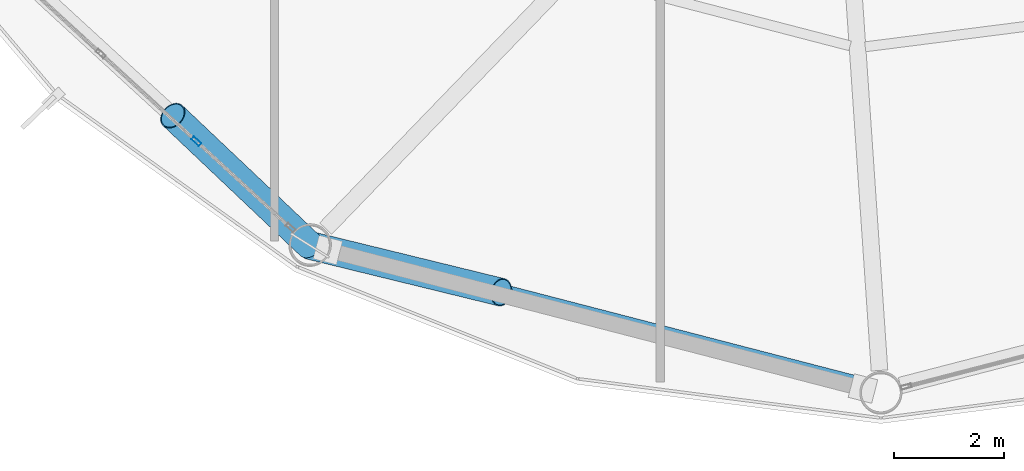
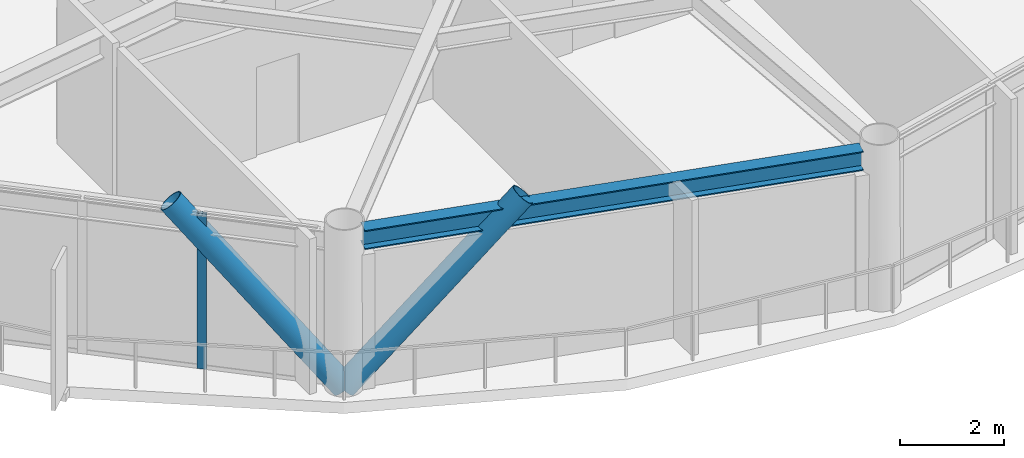
# One storey, part 3 of 25: 3 members, 1 beam, 1 element without a shape of its own.
"""IFC4 building model written with IfcOpenShell, lengths in metres."""

from ifc_helpers import new_model, si_unit, direction, frame, origin, origin_2d, place, context, subcontext, project, spatial, hollow_rectangle, hollow_circle, i_section, extrude, material, layer, layer_set, material_profile, profile_set, type_object, element, aggregate, save


model = new_model("IFC4")

# Units and contexts
model_context = context("Model", 3, precision=1e-05, world=origin(), true_north=direction((0.0, 1.0)))
body_context = subcontext(model_context, "Body", "Model", "MODEL_VIEW")
ifc_project = project(units=[si_unit("LENGTHUNIT", "METRE"), si_unit("AREAUNIT", "SQUARE_METRE"), si_unit("VOLUMEUNIT", "CUBIC_METRE"), si_unit("PLANEANGLEUNIT", "RADIAN"), si_unit("MASSUNIT", "GRAM", prefix="KILO")], contexts=[model_context])

# Site, building, storey
site_placement = place(None, origin())
site = spatial("IfcSite", under=ifc_project, at=site_placement, CompositionType="ELEMENT")
building_placement = place(site_placement, origin())
building = spatial("IfcBuilding", under=site, at=building_placement, Name="Varnakorn Sky Granary", CompositionType="ELEMENT")
storey_placement = place(building_placement, frame((0.0, 0.0, 146.10009765625)))
storey = spatial("IfcBuildingStorey", under=building, at=storey_placement, Name="L36", CompositionType="ELEMENT", Elevation=146.10009765625)

# Beam
ifc_material_1 = material(Name="Steel S355JR", Category="steel")
ifc_material_profile_1 = material_profile(ifc_material_1, i_section(OverallWidth=0.300048828125, OverallDepth=0.449951171875, WebThickness=0.013916015625, FlangeThickness=0.02587890625, at=origin_2d()), Name="HE 450 B")
ifc_profile_set_1 = profile_set([ifc_material_profile_1], Name="Steel S355JR")
beam_type = type_object("IfcBeamType", Name="BM-SPD-Z3", PredefinedType="SPANDREL", material=ifc_profile_set_1)
beam_placement = place(storey_placement, frame((-11.4697265625, -16.505615234375, 3.414794921875), z_axis=(0.968056139534, -0.250733545243, 0.0), x_axis=(0.250733545243, 0.968056139534, 0.0)))
element("IfcBeam", 1, at=beam_placement, inside=storey, type_object=beam_type, Name="Perimeter Spandrel Ring Beam RB09 L36", PredefinedType="SPANDREL", context=body_context, shape_type="SweptSolid", body=[
    extrude(i_section(OverallWidth=0.300048828125, OverallDepth=0.449951171875, WebThickness=0.013916015625, FlangeThickness=0.02587890625, at=origin_2d()), origin(), (0.0, 0.0, 1.0), 9.932861328125),
])

# Curtain wall, member
ifc_material_2 = material(Name="Anodised Bronze Aluminium Alloy 6063-T6", Category="aluminium")
ifc_layer = layer(ifc_material_2, 0.179931640625, Name="Anodised Bronze Aluminium Alloy 6063-T6")
ifc_layer_set = layer_set([ifc_layer], Name="Anodised Bronze Aluminium Alloy 6063-T6")
curtain_wall_type = type_object("IfcCurtainWallType", Name="CW-FRM-2", PredefinedType="USERDEFINED", material=ifc_layer_set)
curtain_wall_placement = place(storey_placement, origin())
curtain_wall = element("IfcCurtainWall", 2, at=curtain_wall_placement, inside=storey, type_object=curtain_wall_type, Name="Unitised Curtain Wall CW4 CW-L36-B08", ObjectType="CURTAIN WALL", PredefinedType="USERDEFINED")
ifc_material_profile_2 = material_profile(ifc_material_2, hollow_rectangle(XDim=0.070068359375, YDim=0.18505859375, WallThickness=0.00390625, at=origin_2d()), Name="ALU MULL 70x185")
ifc_profile_set_2 = profile_set([ifc_material_profile_2], Name="Anodised Bronze Aluminium Alloy 6063-T6")
member_type_1 = type_object("IfcMemberType", Name="CW-FRM-2-MULL", PredefinedType="MULLION", material=ifc_profile_set_2)
member_1_placement = place(storey_placement, frame((-13.91552734375, -14.567626953125, 0.0), z_axis=(0.0, 0.0, 1.0), x_axis=(-0.675960473988, -0.736937879069, 0.0)))
member_1 = element("IfcMember", 3, at=member_1_placement, type_object=member_type_1, Name="CW4 mullion 2", PredefinedType="MULLION", context=body_context, shape_type="SweptSolid", body=[
    extrude(hollow_rectangle(XDim=0.070068359375, YDim=0.18505859375, WallThickness=0.00390625, at=origin_2d()), origin(), (0.0, 0.0, 1.0), 3.639892578125),
])
aggregate(curtain_wall, [member_1])

# Members
ifc_material_3 = material(Name="Steel S460M", Category="steel")
ifc_material_profile_3 = material_profile(ifc_material_3, hollow_circle(Radius=0.25390625, WallThickness=0.01806640625, at=origin_2d()), Name="CHS 508x18")
ifc_profile_set_3 = profile_set([ifc_material_profile_3], Name="Steel S460M")
member_type_2 = type_object("IfcMemberType", Name="MB-DIAG-T2", PredefinedType="BRACE", material=ifc_profile_set_3)
member_2_placement = place(storey_placement, frame((-11.857421875, -16.455322265625, 0.0), z_axis=(-0.48673440517, 0.460920559286, 0.742052462331), x_axis=(-0.687590348597, -0.726098831094, 0.0)))
element("IfcMember", 4, at=member_2_placement, inside=storey, type_object=member_type_2, Name="Perimeter CHS Diagrid Brace DG08 L36", PredefinedType="BRACE", context=body_context, shape_type="SweptSolid", body=[
    extrude(hollow_circle(Radius=0.25390625, WallThickness=0.01806640625, at=origin_2d()), origin(), (0.0, 0.0, 1.0), 5.107177734375),
])
member_3_placement = place(storey_placement, frame((-11.857421875, -16.455322265625, 0.0), z_axis=(0.666744495624, -0.163078807565, 0.727225604664), x_axis=(0.237586189737, 0.971366461458, 0.0)))
element("IfcMember", 5, at=member_3_placement, inside=storey, type_object=member_type_2, Name="Perimeter CHS Diagrid Brace DG09 L36", PredefinedType="BRACE", context=body_context, shape_type="SweptSolid", body=[
    extrude(hollow_circle(Radius=0.25390625, WallThickness=0.01806640625, at=origin_2d()), origin(), (0.0, 0.0, 1.0), 5.21142578125),
])

save(model, "model.ifc")
